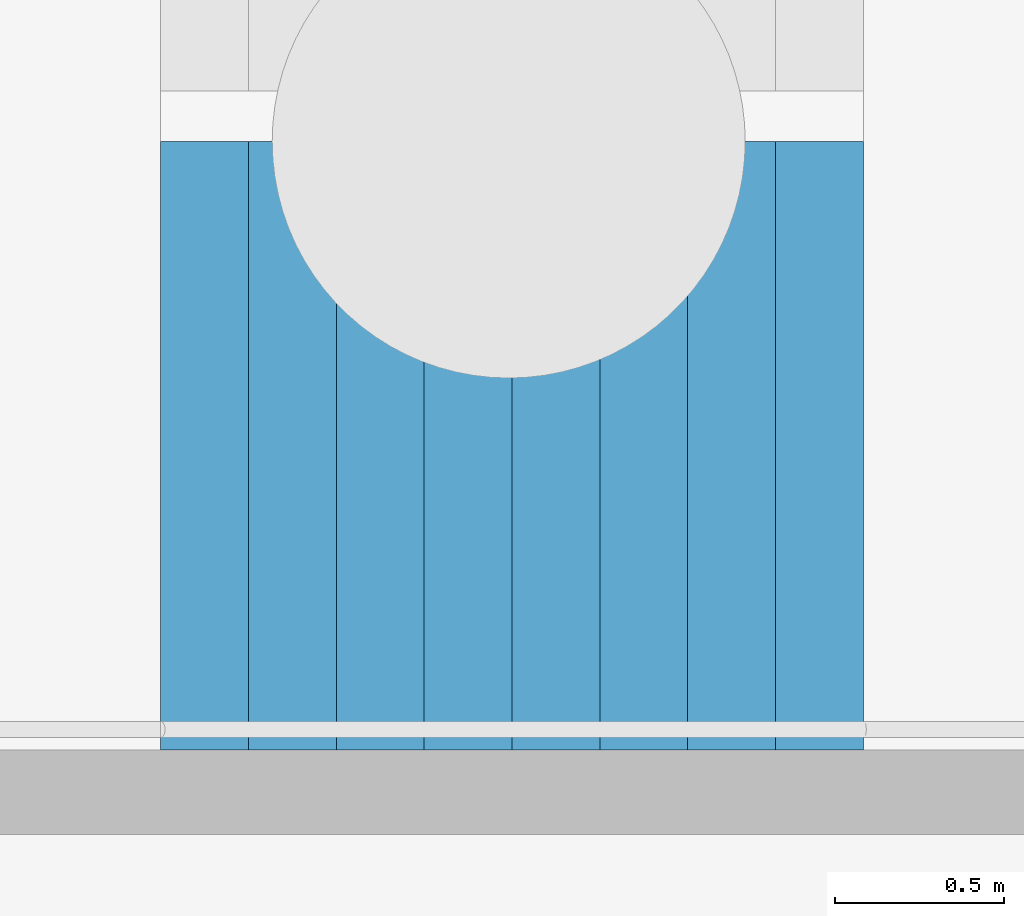
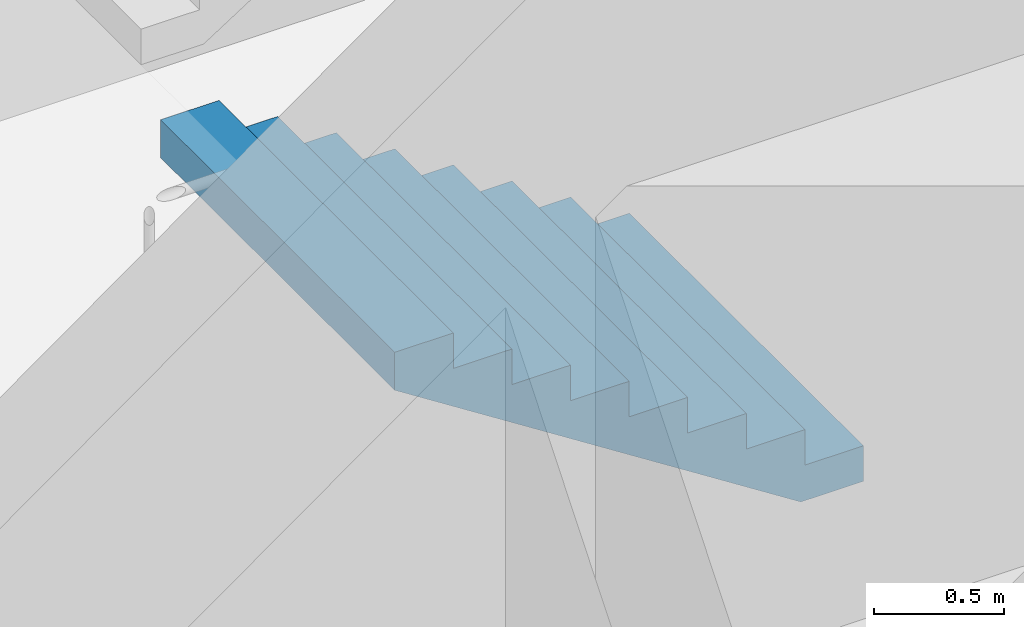
# One storey, part 78 of 113: 1 stair flight, 1 element without a shape of its own.
"""IFC4 building model written with IfcOpenShell, lengths in metres."""

from ifc_helpers import new_model, si_unit, direction, frame, origin, place, context, subcontext, project, spatial, triangles, material, type_object, element, aggregate, save


model = new_model("IFC4")

# Units and contexts
model_context = context("Model", 3, precision=1e-05, world=origin(), true_north=direction((0.0, 1.0)))
body_context = subcontext(model_context, "Body", "Model", "MODEL_VIEW")
ifc_project = project(units=[si_unit("LENGTHUNIT", "METRE"), si_unit("AREAUNIT", "SQUARE_METRE"), si_unit("VOLUMEUNIT", "CUBIC_METRE"), si_unit("PLANEANGLEUNIT", "RADIAN"), si_unit("MASSUNIT", "GRAM", prefix="KILO")], contexts=[model_context])

# Site, building, storey
site_placement = place(None, origin())
site = spatial("IfcSite", under=ifc_project, at=site_placement, CompositionType="ELEMENT")
building_placement = place(site_placement, origin())
building = spatial("IfcBuilding", under=site, at=building_placement, Name="Hakoniwa Tower and Hamabe Station Hall", CompositionType="ELEMENT")
storey_placement = place(building_placement, origin())
storey = spatial("IfcBuildingStorey", under=building, at=storey_placement, Name="L01", CompositionType="ELEMENT", Elevation=0.0)

# Stair, stair flight
ifc_material_1 = material(Name="Concrete C40", Category="concrete")
stair_type = type_object("IfcStairType", Name="ESCAPE STAIR 1800", PredefinedType="HALF_TURN_STAIR", material=ifc_material_1)
stair_placement = place(storey_placement, origin())
stair = element("IfcStair", 1, at=stair_placement, inside=storey, type_object=stair_type, Name="Escape stair ST-3 L01", PredefinedType="HALF_TURN_STAIR")
ifc_material_2 = material(Name="Concrete C40", Category="concrete")
stair_flight_type = type_object("IfcStairFlightType", Name="STAIR FLIGHT 1800", PredefinedType="STRAIGHT", material=ifc_material_2)
stair_flight_placement = place(storey_placement, frame((24.39990234375, 4.64990234375, 0.0), z_axis=(0.0, 0.0, 1.0), x_axis=(-1.0, 0.0, 0.0)))
stair_flight = element("IfcStairFlight", 2, at=stair_flight_placement, type_object=stair_flight_type, Name="ST-3 flight 1", NumberOfRisers=9, NumberOfTreads=8, PredefinedType="STRAIGHT", RiserHeight=0.166666667, TreadLength=0.26, context=body_context, shape_type="Tessellation", body=[
    triangles([(0.0, 0.89990234375, 0.0), (0.260009765625, 0.89990234375, 0.0), (0.27783203125, 0.89990234375, 0.0), (0.52001953125, 0.89990234375, 0.1552734375), (0.780029296875, 0.89990234375, 0.322021484375), (1.0400390625, 0.89990234375, 0.488525390625), (1.300048828125, 0.89990234375, 0.6552734375), (1.56005859375, 0.89990234375, 0.822021484375), (1.820068359375, 0.89990234375, 0.988525390625), (2.080078125, 0.89990234375, 1.1552734375), (2.080078125, 0.89990234375, 1.333251953125), (1.820068359375, 0.89990234375, 1.333251953125), (1.820068359375, 0.89990234375, 1.166748046875), (1.56005859375, 0.89990234375, 1.166748046875), (1.56005859375, 0.89990234375, 1.0), (1.300048828125, 0.89990234375, 1.0), (1.300048828125, 0.89990234375, 0.833251953125), (1.0400390625, 0.89990234375, 0.833251953125), (1.0400390625, 0.89990234375, 0.666748046875), (0.780029296875, 0.89990234375, 0.666748046875), (0.780029296875, 0.89990234375, 0.5), (0.52001953125, 0.89990234375, 0.5), (0.52001953125, 0.89990234375, 0.333251953125), (0.27783203125, 0.89990234375, 0.333251953125), (0.260009765625, 0.89990234375, 0.333251953125), (0.260009765625, 0.89990234375, 0.166748046875), (0.0, 0.89990234375, 0.166748046875), (0.0, 0.06005859375, 0.0), (0.260009765625, 0.06005859375, 0.0), (0.27783203125, 0.06005859375, 0.0), (0.52001953125, 0.06005859375, 0.1552734375), (0.780029296875, 0.06005859375, 0.322021484375), (1.0400390625, 0.06005859375, 0.488525390625), (1.300048828125, 0.06005859375, 0.6552734375), (1.56005859375, 0.06005859375, 0.822021484375), (1.820068359375, 0.06005859375, 0.988525390625), (2.080078125, 0.06005859375, 1.1552734375), (2.080078125, 0.06005859375, 1.333251953125), (1.820068359375, 0.06005859375, 1.333251953125), (1.820068359375, 0.06005859375, 1.166748046875), (1.56005859375, 0.06005859375, 1.166748046875), (1.56005859375, 0.06005859375, 1.0), (1.300048828125, 0.06005859375, 1.0), (1.300048828125, 0.06005859375, 0.833251953125), (1.0400390625, 0.06005859375, 0.833251953125), (1.0400390625, 0.06005859375, 0.666748046875), (0.780029296875, 0.06005859375, 0.666748046875), (0.780029296875, 0.06005859375, 0.5), (0.52001953125, 0.06005859375, 0.5), (0.52001953125, 0.06005859375, 0.333251953125), (0.27783203125, 0.06005859375, 0.333251953125), (0.260009765625, 0.06005859375, 0.333251953125), (0.260009765625, 0.06005859375, 0.166748046875), (0.0, 0.06005859375, 0.166748046875), (0.0, 0.04296875, 0.0), (0.260009765625, 0.04296875, 0.0), (0.27783203125, 0.04296875, 0.0), (0.52001953125, 0.04296875, 0.1552734375), (0.780029296875, 0.04296875, 0.322021484375), (1.0400390625, 0.04296875, 0.488525390625), (1.300048828125, 0.04296875, 0.6552734375), (1.56005859375, 0.04296875, 0.822021484375), (1.820068359375, 0.04296875, 0.988525390625), (2.080078125, 0.04296875, 1.1552734375), (2.080078125, 0.04296875, 1.333251953125), (1.820068359375, 0.04296875, 1.333251953125), (1.820068359375, 0.04296875, 1.166748046875), (1.56005859375, 0.04296875, 1.166748046875), (1.56005859375, 0.04296875, 1.0), (1.300048828125, 0.04296875, 1.0), (1.300048828125, 0.04296875, 0.833251953125), (1.0400390625, 0.04296875, 0.833251953125), (1.0400390625, 0.04296875, 0.666748046875), (0.780029296875, 0.04296875, 0.666748046875), (0.780029296875, 0.04296875, 0.5), (0.52001953125, 0.04296875, 0.5), (0.52001953125, 0.04296875, 0.333251953125), (0.27783203125, 0.04296875, 0.333251953125), (0.260009765625, 0.04296875, 0.333251953125), (0.260009765625, 0.04296875, 0.166748046875), (0.0, 0.04296875, 0.166748046875), (0.0, 0.025634765625, 0.0), (0.260009765625, 0.025634765625, 0.0), (0.27783203125, 0.025634765625, 0.0), (0.52001953125, 0.025634765625, 0.1552734375), (0.780029296875, 0.025634765625, 0.322021484375), (1.0400390625, 0.025634765625, 0.488525390625), (1.300048828125, 0.025634765625, 0.6552734375), (1.56005859375, 0.025634765625, 0.822021484375), (1.820068359375, 0.025634765625, 0.988525390625), (2.080078125, 0.025634765625, 1.1552734375), (2.080078125, 0.025634765625, 1.333251953125), (1.820068359375, 0.025634765625, 1.333251953125), (1.820068359375, 0.025634765625, 1.166748046875), (1.56005859375, 0.025634765625, 1.166748046875), (1.56005859375, 0.025634765625, 1.0), (1.300048828125, 0.025634765625, 1.0), (1.300048828125, 0.025634765625, 0.833251953125), (1.0400390625, 0.025634765625, 0.833251953125), (1.0400390625, 0.025634765625, 0.666748046875), (0.780029296875, 0.025634765625, 0.666748046875), (0.780029296875, 0.025634765625, 0.5), (0.52001953125, 0.025634765625, 0.5), (0.52001953125, 0.025634765625, 0.333251953125), (0.27783203125, 0.025634765625, 0.333251953125), (0.260009765625, 0.025634765625, 0.333251953125), (0.260009765625, 0.025634765625, 0.166748046875), (0.0, 0.025634765625, 0.166748046875), (0.0, 0.008544921875, 0.0), (0.260009765625, 0.008544921875, 0.0), (0.27783203125, 0.008544921875, 0.0), (0.52001953125, 0.008544921875, 0.1552734375), (0.780029296875, 0.008544921875, 0.322021484375), (1.0400390625, 0.008544921875, 0.488525390625), (1.300048828125, 0.008544921875, 0.6552734375), (1.56005859375, 0.008544921875, 0.822021484375), (1.820068359375, 0.008544921875, 0.988525390625), (2.080078125, 0.008544921875, 1.1552734375), (2.080078125, 0.008544921875, 1.333251953125), (1.820068359375, 0.008544921875, 1.333251953125), (1.820068359375, 0.008544921875, 1.166748046875), (1.56005859375, 0.008544921875, 1.166748046875), (1.56005859375, 0.008544921875, 1.0), (1.300048828125, 0.008544921875, 1.0), (1.300048828125, 0.008544921875, 0.833251953125), (1.0400390625, 0.008544921875, 0.833251953125), (1.0400390625, 0.008544921875, 0.666748046875), (0.780029296875, 0.008544921875, 0.666748046875), (0.780029296875, 0.008544921875, 0.5), (0.52001953125, 0.008544921875, 0.5), (0.52001953125, 0.008544921875, 0.333251953125), (0.27783203125, 0.008544921875, 0.333251953125), (0.260009765625, 0.008544921875, 0.333251953125), (0.260009765625, 0.008544921875, 0.166748046875), (0.0, 0.008544921875, 0.166748046875), (0.0, -0.008544921875, 0.0), (0.260009765625, -0.008544921875, 0.0), (0.27783203125, -0.008544921875, 0.0), (0.52001953125, -0.008544921875, 0.1552734375), (0.780029296875, -0.008544921875, 0.322021484375), (1.0400390625, -0.008544921875, 0.488525390625), (1.300048828125, -0.008544921875, 0.6552734375), (1.56005859375, -0.008544921875, 0.822021484375), (1.820068359375, -0.008544921875, 0.988525390625), (2.080078125, -0.008544921875, 1.1552734375), (2.080078125, -0.008544921875, 1.333251953125), (1.820068359375, -0.008544921875, 1.333251953125), (1.820068359375, -0.008544921875, 1.166748046875), (1.56005859375, -0.008544921875, 1.166748046875), (1.56005859375, -0.008544921875, 1.0), (1.300048828125, -0.008544921875, 1.0), (1.300048828125, -0.008544921875, 0.833251953125), (1.0400390625, -0.008544921875, 0.833251953125), (1.0400390625, -0.008544921875, 0.666748046875), (0.780029296875, -0.008544921875, 0.666748046875), (0.780029296875, -0.008544921875, 0.5), (0.52001953125, -0.008544921875, 0.5), (0.52001953125, -0.008544921875, 0.333251953125), (0.27783203125, -0.008544921875, 0.333251953125), (0.260009765625, -0.008544921875, 0.333251953125), (0.260009765625, -0.008544921875, 0.166748046875), (0.0, -0.008544921875, 0.166748046875), (0.0, -0.025634765625, 0.0), (0.260009765625, -0.025634765625, 0.0), (0.27783203125, -0.025634765625, 0.0), (0.52001953125, -0.025634765625, 0.1552734375), (0.780029296875, -0.025634765625, 0.322021484375), (1.0400390625, -0.025634765625, 0.488525390625), (1.300048828125, -0.025634765625, 0.6552734375), (1.56005859375, -0.025634765625, 0.822021484375), (1.820068359375, -0.025634765625, 0.988525390625), (2.080078125, -0.025634765625, 1.1552734375), (2.080078125, -0.025634765625, 1.333251953125), (1.820068359375, -0.025634765625, 1.333251953125), (1.820068359375, -0.025634765625, 1.166748046875), (1.56005859375, -0.025634765625, 1.166748046875), (1.56005859375, -0.025634765625, 1.0), (1.300048828125, -0.025634765625, 1.0), (1.300048828125, -0.025634765625, 0.833251953125), (1.0400390625, -0.025634765625, 0.833251953125), (1.0400390625, -0.025634765625, 0.666748046875), (0.780029296875, -0.025634765625, 0.666748046875), (0.780029296875, -0.025634765625, 0.5), (0.52001953125, -0.025634765625, 0.5), (0.52001953125, -0.025634765625, 0.333251953125), (0.27783203125, -0.025634765625, 0.333251953125), (0.260009765625, -0.025634765625, 0.333251953125), (0.260009765625, -0.025634765625, 0.166748046875), (0.0, -0.025634765625, 0.166748046875), (0.0, -0.04296875, 0.0), (0.260009765625, -0.04296875, 0.0), (0.27783203125, -0.04296875, 0.0), (0.52001953125, -0.04296875, 0.1552734375), (0.780029296875, -0.04296875, 0.322021484375), (1.0400390625, -0.04296875, 0.488525390625), (1.300048828125, -0.04296875, 0.6552734375), (1.56005859375, -0.04296875, 0.822021484375), (1.820068359375, -0.04296875, 0.988525390625), (2.080078125, -0.04296875, 1.1552734375), (2.080078125, -0.04296875, 1.333251953125), (1.820068359375, -0.04296875, 1.333251953125), (1.820068359375, -0.04296875, 1.166748046875), (1.56005859375, -0.04296875, 1.166748046875), (1.56005859375, -0.04296875, 1.0), (1.300048828125, -0.04296875, 1.0), (1.300048828125, -0.04296875, 0.833251953125), (1.0400390625, -0.04296875, 0.833251953125), (1.0400390625, -0.04296875, 0.666748046875), (0.780029296875, -0.04296875, 0.666748046875), (0.780029296875, -0.04296875, 0.5), (0.52001953125, -0.04296875, 0.5), (0.52001953125, -0.04296875, 0.333251953125), (0.27783203125, -0.04296875, 0.333251953125), (0.260009765625, -0.04296875, 0.333251953125), (0.260009765625, -0.04296875, 0.166748046875), (0.0, -0.04296875, 0.166748046875), (0.0, -0.06005859375, 0.0), (0.260009765625, -0.06005859375, 0.0), (0.27783203125, -0.06005859375, 0.0), (0.52001953125, -0.06005859375, 0.1552734375), (0.780029296875, -0.06005859375, 0.322021484375), (1.0400390625, -0.06005859375, 0.488525390625), (1.300048828125, -0.06005859375, 0.6552734375), (1.56005859375, -0.06005859375, 0.822021484375), (1.820068359375, -0.06005859375, 0.988525390625), (2.080078125, -0.06005859375, 1.1552734375), (2.080078125, -0.06005859375, 1.333251953125), (1.820068359375, -0.06005859375, 1.333251953125), (1.820068359375, -0.06005859375, 1.166748046875), (1.56005859375, -0.06005859375, 1.166748046875), (1.56005859375, -0.06005859375, 1.0), (1.300048828125, -0.06005859375, 1.0), (1.300048828125, -0.06005859375, 0.833251953125), (1.0400390625, -0.06005859375, 0.833251953125), (1.0400390625, -0.06005859375, 0.666748046875), (0.780029296875, -0.06005859375, 0.666748046875), (0.780029296875, -0.06005859375, 0.5), (0.52001953125, -0.06005859375, 0.5), (0.52001953125, -0.06005859375, 0.333251953125), (0.27783203125, -0.06005859375, 0.333251953125), (0.260009765625, -0.06005859375, 0.333251953125), (0.260009765625, -0.06005859375, 0.166748046875), (0.0, -0.06005859375, 0.166748046875), (0.0, -0.89990234375, 0.0), (0.260009765625, -0.89990234375, 0.0), (0.27783203125, -0.89990234375, 0.0), (0.52001953125, -0.89990234375, 0.1552734375), (0.780029296875, -0.89990234375, 0.322021484375), (1.0400390625, -0.89990234375, 0.488525390625), (1.300048828125, -0.89990234375, 0.6552734375), (1.56005859375, -0.89990234375, 0.822021484375), (1.820068359375, -0.89990234375, 0.988525390625), (2.080078125, -0.89990234375, 1.1552734375), (2.080078125, -0.89990234375, 1.333251953125), (1.820068359375, -0.89990234375, 1.333251953125), (1.820068359375, -0.89990234375, 1.166748046875), (1.56005859375, -0.89990234375, 1.166748046875), (1.56005859375, -0.89990234375, 1.0), (1.300048828125, -0.89990234375, 1.0), (1.300048828125, -0.89990234375, 0.833251953125), (1.0400390625, -0.89990234375, 0.833251953125), (1.0400390625, -0.89990234375, 0.666748046875), (0.780029296875, -0.89990234375, 0.666748046875), (0.780029296875, -0.89990234375, 0.5), (0.52001953125, -0.89990234375, 0.5), (0.52001953125, -0.89990234375, 0.333251953125), (0.27783203125, -0.89990234375, 0.333251953125), (0.260009765625, -0.89990234375, 0.333251953125), (0.260009765625, -0.89990234375, 0.166748046875), (0.0, -0.89990234375, 0.166748046875)], [[2, 27, 26], [245, 269, 270], [2, 1, 27], [245, 270, 244], [3, 25, 24], [246, 267, 268], [3, 26, 25], [246, 268, 269], [3, 2, 26], [246, 269, 245], [4, 24, 23], [247, 266, 267], [4, 3, 24], [247, 267, 246], [5, 22, 21], [248, 264, 265], [5, 23, 22], [248, 265, 266], [5, 4, 23], [248, 266, 247], [6, 20, 19], [249, 262, 263], [6, 21, 20], [249, 263, 264], [6, 5, 21], [249, 264, 248], [7, 18, 17], [250, 260, 261], [7, 19, 18], [250, 261, 262], [7, 6, 19], [250, 262, 249], [8, 16, 15], [251, 258, 259], [8, 17, 16], [251, 259, 260], [8, 7, 17], [251, 260, 250], [9, 14, 13], [252, 256, 257], [9, 15, 14], [252, 257, 258], [9, 8, 15], [252, 258, 251], [10, 12, 11], [253, 254, 255], [10, 13, 12], [253, 255, 256], [10, 9, 13], [253, 256, 252], [1, 2, 29], [1, 29, 28], [28, 29, 56], [28, 56, 55], [55, 56, 83], [55, 83, 82], [82, 83, 110], [82, 110, 109], [109, 110, 137], [109, 137, 136], [136, 137, 164], [136, 164, 163], [163, 164, 191], [163, 191, 190], [190, 191, 218], [190, 218, 217], [217, 218, 245], [217, 245, 244], [2, 3, 30], [2, 30, 29], [29, 30, 57], [29, 57, 56], [56, 57, 84], [56, 84, 83], [83, 84, 111], [83, 111, 110], [110, 111, 138], [110, 138, 137], [137, 138, 165], [137, 165, 164], [164, 165, 192], [164, 192, 191], [191, 192, 219], [191, 219, 218], [218, 219, 246], [218, 246, 245], [3, 4, 31], [3, 31, 30], [30, 31, 58], [30, 58, 57], [57, 58, 85], [57, 85, 84], [84, 85, 112], [84, 112, 111], [111, 112, 139], [111, 139, 138], [138, 139, 166], [138, 166, 165], [165, 166, 193], [165, 193, 192], [192, 193, 220], [192, 220, 219], [219, 220, 247], [219, 247, 246], [4, 5, 32], [4, 32, 31], [31, 32, 59], [31, 59, 58], [58, 59, 86], [58, 86, 85], [85, 86, 113], [85, 113, 112], [112, 113, 140], [112, 140, 139], [139, 140, 167], [139, 167, 166], [166, 167, 194], [166, 194, 193], [193, 194, 221], [193, 221, 220], [220, 221, 248], [220, 248, 247], [5, 6, 33], [5, 33, 32], [32, 33, 60], [32, 60, 59], [59, 60, 87], [59, 87, 86], [86, 87, 114], [86, 114, 113], [113, 114, 141], [113, 141, 140], [140, 141, 168], [140, 168, 167], [167, 168, 195], [167, 195, 194], [194, 195, 222], [194, 222, 221], [221, 222, 249], [221, 249, 248], [6, 7, 34], [6, 34, 33], [33, 34, 61], [33, 61, 60], [60, 61, 88], [60, 88, 87], [87, 88, 115], [87, 115, 114], [114, 115, 142], [114, 142, 141], [141, 142, 169], [141, 169, 168], [168, 169, 196], [168, 196, 195], [195, 196, 223], [195, 223, 222], [222, 223, 250], [222, 250, 249], [7, 8, 35], [7, 35, 34], [34, 35, 62], [34, 62, 61], [61, 62, 89], [61, 89, 88], [88, 89, 116], [88, 116, 115], [115, 116, 143], [115, 143, 142], [142, 143, 170], [142, 170, 169], [169, 170, 197], [169, 197, 196], [196, 197, 224], [196, 224, 223], [223, 224, 251], [223, 251, 250], [8, 9, 36], [8, 36, 35], [35, 36, 63], [35, 63, 62], [62, 63, 90], [62, 90, 89], [89, 90, 117], [89, 117, 116], [116, 117, 144], [116, 144, 143], [143, 144, 171], [143, 171, 170], [170, 171, 198], [170, 198, 197], [197, 198, 225], [197, 225, 224], [224, 225, 252], [224, 252, 251], [9, 10, 37], [9, 37, 36], [36, 37, 64], [36, 64, 63], [63, 64, 91], [63, 91, 90], [90, 91, 118], [90, 118, 117], [117, 118, 145], [117, 145, 144], [144, 145, 172], [144, 172, 171], [171, 172, 199], [171, 199, 198], [198, 199, 226], [198, 226, 225], [225, 226, 253], [225, 253, 252], [10, 11, 38], [10, 38, 37], [37, 38, 65], [37, 65, 64], [64, 65, 92], [64, 92, 91], [91, 92, 119], [91, 119, 118], [118, 119, 146], [118, 146, 145], [145, 146, 173], [145, 173, 172], [172, 173, 200], [172, 200, 199], [199, 200, 227], [199, 227, 226], [226, 227, 254], [226, 254, 253], [11, 12, 39], [11, 39, 38], [38, 39, 66], [38, 66, 65], [65, 66, 93], [65, 93, 92], [92, 93, 120], [92, 120, 119], [119, 120, 147], [119, 147, 146], [146, 147, 174], [146, 174, 173], [173, 174, 201], [173, 201, 200], [200, 201, 228], [200, 228, 227], [227, 228, 255], [227, 255, 254], [12, 13, 40], [12, 40, 39], [39, 40, 67], [39, 67, 66], [66, 67, 94], [66, 94, 93], [93, 94, 121], [93, 121, 120], [120, 121, 148], [120, 148, 147], [147, 148, 175], [147, 175, 174], [174, 175, 202], [174, 202, 201], [201, 202, 229], [201, 229, 228], [228, 229, 256], [228, 256, 255], [13, 14, 41], [13, 41, 40], [40, 41, 68], [40, 68, 67], [67, 68, 95], [67, 95, 94], [94, 95, 122], [94, 122, 121], [121, 122, 149], [121, 149, 148], [148, 149, 176], [148, 176, 175], [175, 176, 203], [175, 203, 202], [202, 203, 230], [202, 230, 229], [229, 230, 257], [229, 257, 256], [14, 15, 42], [14, 42, 41], [41, 42, 69], [41, 69, 68], [68, 69, 96], [68, 96, 95], [95, 96, 123], [95, 123, 122], [122, 123, 150], [122, 150, 149], [149, 150, 177], [149, 177, 176], [176, 177, 204], [176, 204, 203], [203, 204, 231], [203, 231, 230], [230, 231, 258], [230, 258, 257], [15, 16, 43], [15, 43, 42], [42, 43, 70], [42, 70, 69], [69, 70, 97], [69, 97, 96], [96, 97, 124], [96, 124, 123], [123, 124, 151], [123, 151, 150], [150, 151, 178], [150, 178, 177], [177, 178, 205], [177, 205, 204], [204, 205, 232], [204, 232, 231], [231, 232, 259], [231, 259, 258], [16, 17, 44], [16, 44, 43], [43, 44, 71], [43, 71, 70], [70, 71, 98], [70, 98, 97], [97, 98, 125], [97, 125, 124], [124, 125, 152], [124, 152, 151], [151, 152, 179], [151, 179, 178], [178, 179, 206], [178, 206, 205], [205, 206, 233], [205, 233, 232], [232, 233, 260], [232, 260, 259], [17, 18, 45], [17, 45, 44], [44, 45, 72], [44, 72, 71], [71, 72, 99], [71, 99, 98], [98, 99, 126], [98, 126, 125], [125, 126, 153], [125, 153, 152], [152, 153, 180], [152, 180, 179], [179, 180, 207], [179, 207, 206], [206, 207, 234], [206, 234, 233], [233, 234, 261], [233, 261, 260], [18, 19, 46], [18, 46, 45], [45, 46, 73], [45, 73, 72], [72, 73, 100], [72, 100, 99], [99, 100, 127], [99, 127, 126], [126, 127, 154], [126, 154, 153], [153, 154, 181], [153, 181, 180], [180, 181, 208], [180, 208, 207], [207, 208, 235], [207, 235, 234], [234, 235, 262], [234, 262, 261], [19, 20, 47], [19, 47, 46], [46, 47, 74], [46, 74, 73], [73, 74, 101], [73, 101, 100], [100, 101, 128], [100, 128, 127], [127, 128, 155], [127, 155, 154], [154, 155, 182], [154, 182, 181], [181, 182, 209], [181, 209, 208], [208, 209, 236], [208, 236, 235], [235, 236, 263], [235, 263, 262], [20, 21, 48], [20, 48, 47], [47, 48, 75], [47, 75, 74], [74, 75, 102], [74, 102, 101], [101, 102, 129], [101, 129, 128], [128, 129, 156], [128, 156, 155], [155, 156, 183], [155, 183, 182], [182, 183, 210], [182, 210, 209], [209, 210, 237], [209, 237, 236], [236, 237, 264], [236, 264, 263], [21, 22, 49], [21, 49, 48], [48, 49, 76], [48, 76, 75], [75, 76, 103], [75, 103, 102], [102, 103, 130], [102, 130, 129], [129, 130, 157], [129, 157, 156], [156, 157, 184], [156, 184, 183], [183, 184, 211], [183, 211, 210], [210, 211, 238], [210, 238, 237], [237, 238, 265], [237, 265, 264], [22, 23, 50], [22, 50, 49], [49, 50, 77], [49, 77, 76], [76, 77, 104], [76, 104, 103], [103, 104, 131], [103, 131, 130], [130, 131, 158], [130, 158, 157], [157, 158, 185], [157, 185, 184], [184, 185, 212], [184, 212, 211], [211, 212, 239], [211, 239, 238], [238, 239, 266], [238, 266, 265], [23, 24, 51], [23, 51, 50], [50, 51, 78], [50, 78, 77], [77, 78, 105], [77, 105, 104], [104, 105, 132], [104, 132, 131], [131, 132, 159], [131, 159, 158], [158, 159, 186], [158, 186, 185], [185, 186, 213], [185, 213, 212], [212, 213, 240], [212, 240, 239], [239, 240, 267], [239, 267, 266], [24, 25, 52], [24, 52, 51], [51, 52, 79], [51, 79, 78], [78, 79, 106], [78, 106, 105], [105, 106, 133], [105, 133, 132], [132, 133, 160], [132, 160, 159], [159, 160, 187], [159, 187, 186], [186, 187, 214], [186, 214, 213], [213, 214, 241], [213, 241, 240], [240, 241, 268], [240, 268, 267], [25, 26, 53], [25, 53, 52], [52, 53, 80], [52, 80, 79], [79, 80, 107], [79, 107, 106], [106, 107, 134], [106, 134, 133], [133, 134, 161], [133, 161, 160], [160, 161, 188], [160, 188, 187], [187, 188, 215], [187, 215, 214], [214, 215, 242], [214, 242, 241], [241, 242, 269], [241, 269, 268], [26, 27, 54], [26, 54, 53], [53, 54, 81], [53, 81, 80], [80, 81, 108], [80, 108, 107], [107, 108, 135], [107, 135, 134], [134, 135, 162], [134, 162, 161], [161, 162, 189], [161, 189, 188], [188, 189, 216], [188, 216, 215], [215, 216, 243], [215, 243, 242], [242, 243, 270], [242, 270, 269], [27, 1, 28], [27, 28, 54], [54, 28, 55], [54, 55, 81], [81, 55, 82], [81, 82, 108], [108, 82, 109], [108, 109, 135], [135, 109, 136], [135, 136, 162], [162, 136, 163], [162, 163, 189], [189, 163, 190], [189, 190, 216], [216, 190, 217], [216, 217, 243], [243, 217, 244], [243, 244, 270]], closed=True),
])
aggregate(stair, [stair_flight])

save(model, "model.ifc")
